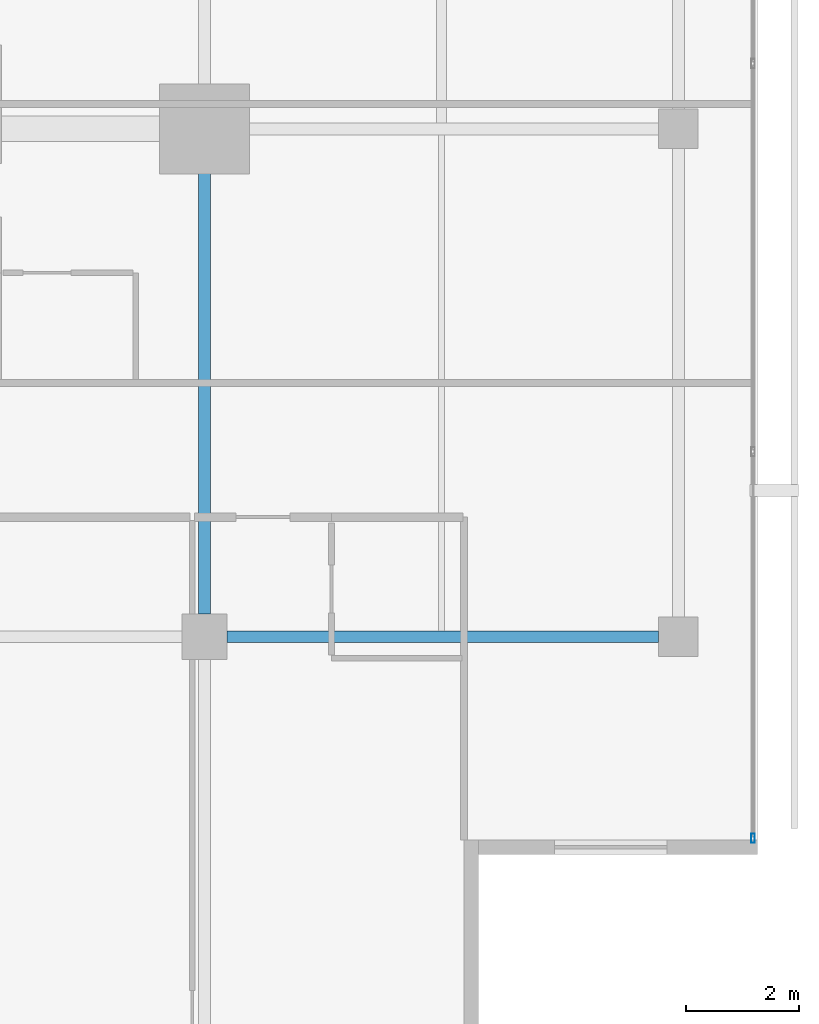
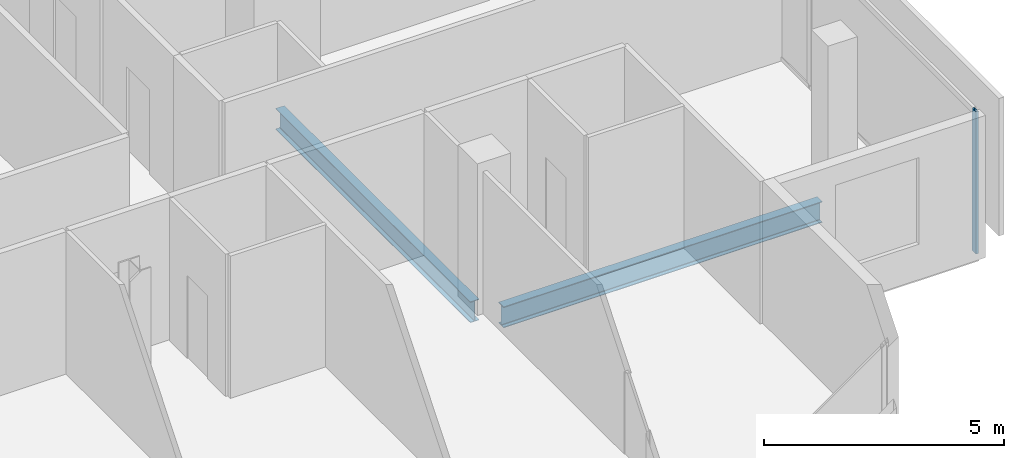
# One storey, part 11 of 26: 2 beams, 1 member, 1 element without a shape of its own.
"""IFC4 building model written with IfcOpenShell, lengths in metres."""

from ifc_helpers import new_model, si_unit, direction, frame, origin, origin_2d, place, context, subcontext, project, spatial, hollow_rectangle, i_section, extrude, material, layer, layer_set, material_profile, profile_set, type_object, element, aggregate, save


model = new_model("IFC4")

# Units and contexts
model_context = context("Model", 3, precision=1e-05, world=origin(), true_north=direction((0.0, 1.0)))
body_context = subcontext(model_context, "Body", "Model", "MODEL_VIEW")
ifc_project = project(units=[si_unit("LENGTHUNIT", "METRE"), si_unit("AREAUNIT", "SQUARE_METRE"), si_unit("VOLUMEUNIT", "CUBIC_METRE"), si_unit("PLANEANGLEUNIT", "RADIAN"), si_unit("MASSUNIT", "GRAM", prefix="KILO")], contexts=[model_context])

# Site, building, storey
site_placement = place(None, origin())
site = spatial("IfcSite", under=ifc_project, at=site_placement, CompositionType="ELEMENT")
building_placement = place(site_placement, origin())
building = spatial("IfcBuilding", under=site, at=building_placement, Name="Maruvema Waterfront Hotel and Observation Tower", CompositionType="ELEMENT")
storey_placement = place(building_placement, frame((0.0, 0.0, 254.800048828125)))
storey = spatial("IfcBuildingStorey", under=building, at=storey_placement, Name="L62", CompositionType="ELEMENT", Elevation=254.800048828125)

# Curtain wall, member
ifc_material_1 = material(Name="Anodised bronze aluminium and solar-control low-E IGU", Category="aluminium")
ifc_layer = layer(ifc_material_1, 0.159912109375, Name="Zone 3 Champagne Inner Thermal Curtain Wall System CW-04")
ifc_layer_set = layer_set([ifc_layer], Name="Anodised bronze aluminium and solar-control low-E IGU")
curtain_wall_type = type_object("IfcCurtainWallType", Name="Zone 3 Champagne Inner Thermal Curtain Wall System CW-04", PredefinedType="USERDEFINED", material=ifc_layer_set)
curtain_wall_placement = place(storey_placement, origin())
curtain_wall = element("IfcCurtainWall", 1, at=curtain_wall_placement, inside=storey, type_object=curtain_wall_type, Name="L62 Curtain Wall CW-L62-E", ObjectType="UNITISED CURTAIN WALL", PredefinedType="USERDEFINED")
ifc_material_2 = material(Name="Anodised architectural bronze aluminium", Category="aluminium")
ifc_material_profile_1 = material_profile(ifc_material_2, hollow_rectangle(XDim=0.06494140625, YDim=0.1650390625, WallThickness=0.00390625, at=origin_2d()), Name="ALU-M65x165")
ifc_profile_set_1 = profile_set([ifc_material_profile_1], Name="Anodised architectural bronze aluminium")
member_type = type_object("IfcMemberType", Name="Curtain Wall Primary Mullion ALU-M65x165", PredefinedType="MULLION", material=ifc_profile_set_1)
member_placement = place(storey_placement, frame((60.1201171875, 14.429931640625, 0.0), z_axis=(0.0, 0.0, 1.0), x_axis=(-1.0, 0.0, 0.0)))
member = element("IfcMember", 2, at=member_placement, type_object=member_type, Name="CW-04 mullion 1", PredefinedType="MULLION", context=body_context, shape_type="SweptSolid", body=[
    extrude(hollow_rectangle(XDim=0.06494140625, YDim=0.1650390625, WallThickness=0.00390625, at=origin_2d()), origin(), (0.0, 0.0, 1.0), 3.60986328125),
])
aggregate(curtain_wall, [member])

# Beams
ifc_material_3 = material(Name="Steel ASTM A572 Grade 50", Category="steel")
ifc_material_profile_2 = material_profile(ifc_material_3, i_section(OverallWidth=0.208984375, OverallDepth=0.532958984375, WebThickness=0.01025390625, FlangeThickness=0.015625, FilletRadius=0.014892578125, at=origin_2d()), Name="W530x92.0")
ifc_profile_set_2 = profile_set([ifc_material_profile_2], Name="Steel ASTM A572 Grade 50")
beam_type = type_object("IfcBeamType", Name="Primary Floor Girder W530x92.0", PredefinedType="BEAM", material=ifc_profile_set_2)
beam_1_placement = place(storey_placement, frame((50.800048828125, 18.0, -0.506591796875), z_axis=(1.0, 0.0, 0.0), x_axis=(0.0, 1.0, 0.0)))
element("IfcBeam", 3, at=beam_1_placement, inside=storey, type_object=beam_type, Name="L62 Floor Girder EW-08", PredefinedType="BEAM", context=body_context, shape_type="SweptSolid", body=[
    extrude(i_section(OverallWidth=0.208984375, OverallDepth=0.532958984375, WebThickness=0.01025390625, FlangeThickness=0.015625, FilletRadius=0.014892578125, at=origin_2d()), origin(), (0.0, 0.0, 1.0), 7.64990234375),
])
beam_2_placement = place(storey_placement, frame((50.39990234375, 18.39990234375, -0.506591796875), z_axis=(0.0, 1.0, 0.0), x_axis=(-1.0, 0.0, 0.0)))
element("IfcBeam", 4, at=beam_2_placement, inside=storey, type_object=beam_type, Name="L62 Floor Girder NS-13", PredefinedType="BEAM", context=body_context, shape_type="SweptSolid", body=[
    extrude(i_section(OverallWidth=0.208984375, OverallDepth=0.532958984375, WebThickness=0.01025390625, FlangeThickness=0.015625, FilletRadius=0.014892578125, at=origin_2d()), origin(), (0.0, 0.0, 1.0), 8.10009765625),
])

save(model, "model.ifc")
